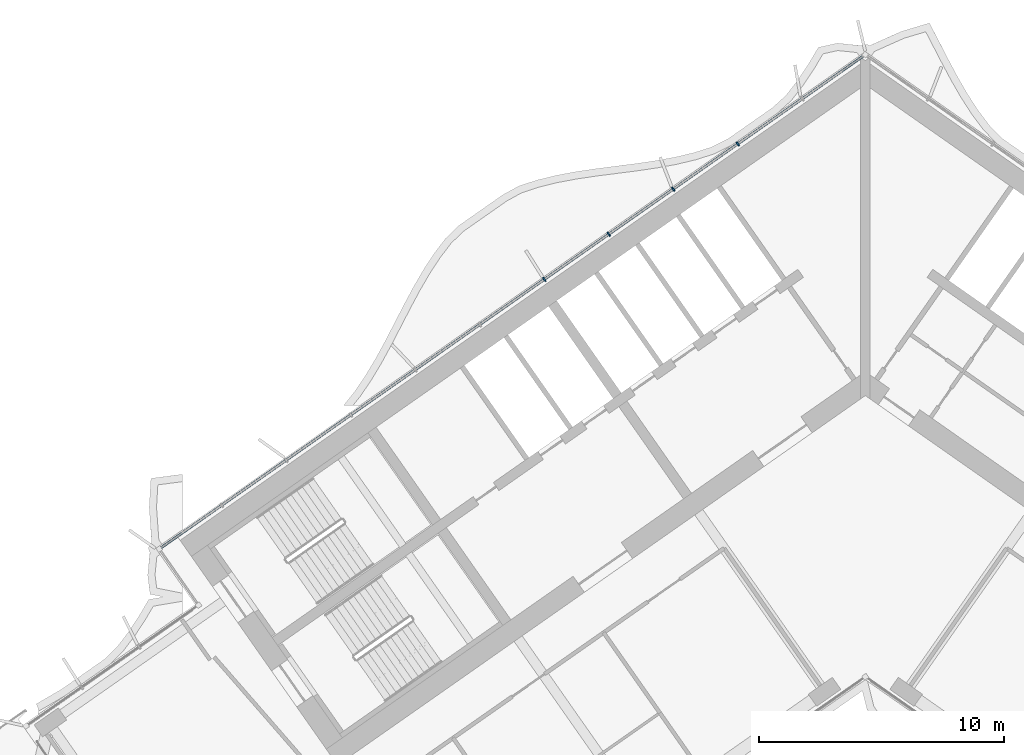
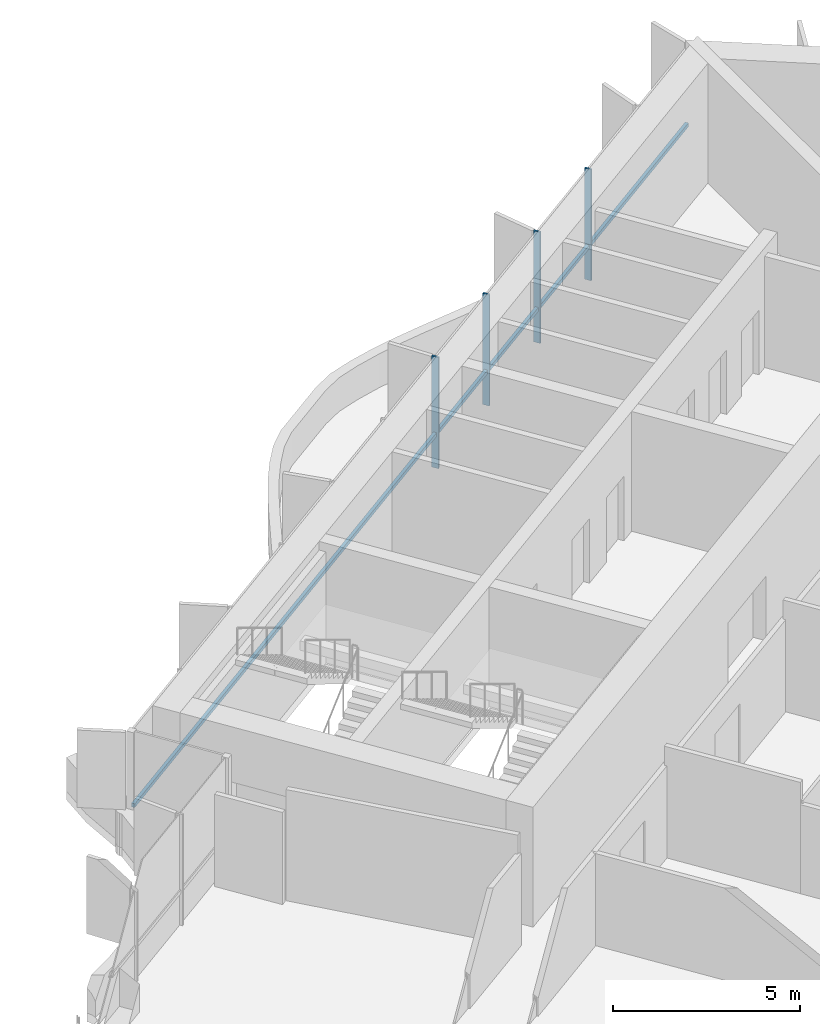
# One storey, part 7 of 22: 5 members, 1 element without a shape of its own.
"""IFC4 building model written with IfcOpenShell, lengths in metres."""

from ifc_helpers import new_model, si_unit, direction, frame, origin, origin_2d, place, context, subcontext, project, spatial, rectangle, extrude, material, material_profile, profile_set, type_object, element, aggregate, save


model = new_model("IFC4")

# Units and contexts
model_context = context("Model", 3, precision=1e-05, world=origin(), true_north=direction((0.0, 1.0)))
body_context = subcontext(model_context, "Body", "Model", "MODEL_VIEW")
ifc_project = project(units=[si_unit("LENGTHUNIT", "METRE"), si_unit("AREAUNIT", "SQUARE_METRE"), si_unit("VOLUMEUNIT", "CUBIC_METRE"), si_unit("PLANEANGLEUNIT", "RADIAN"), si_unit("MASSUNIT", "GRAM", prefix="KILO")], contexts=[model_context])

# Site, building, storey
site_placement = place(None, origin())
site = spatial("IfcSite", under=ifc_project, at=site_placement, CompositionType="ELEMENT")
building_placement = place(site_placement, origin())
building = spatial("IfcBuilding", under=site, at=building_placement, Name="Tel Ilan Convention Tower", CompositionType="ELEMENT")
storey_placement = place(building_placement, frame((0.0, 0.0, 202.199951171875)))
storey = spatial("IfcBuildingStorey", under=building, at=storey_placement, Name="L47", CompositionType="ELEMENT", Elevation=202.199951171875)

# Curtain wall, members
ifc_material_1 = material(Name="Aluminium, bronze anodised", Category="aluminium")
curtain_wall_type = type_object("IfcCurtainWallType", Name="CW2 STICK CURTAIN WALL, SPANDREL PANELS", PredefinedType="NOTDEFINED", material=ifc_material_1)
curtain_wall_placement = place(storey_placement, origin())
curtain_wall = element("IfcCurtainWall", 1, at=curtain_wall_placement, inside=storey, type_object=curtain_wall_type, Name="Curtain wall CW2-37.01", PredefinedType="NOTDEFINED")
ifc_material_2 = material(Name="Aluminium, bronze anodised", Category="aluminium")
ifc_material_profile_1 = material_profile(ifc_material_2, rectangle(XDim=0.06005859375, YDim=0.199951171875, at=origin_2d()), Name="CW MULLION 60x200")
ifc_profile_set_1 = profile_set([ifc_material_profile_1], Name="Aluminium, bronze anodised")
member_type_1 = type_object("IfcMemberType", Name="CW MULLION 60x200", PredefinedType="MULLION", material=ifc_profile_set_1)
member_1_placement = place(storey_placement, frame((-5.207763671875, 9.049560546875, 0.0), z_axis=(0.0, 0.0, 1.0), x_axis=(-0.819152044289, -0.573576436351, 0.0)))
member_1 = element("IfcMember", 2, at=member_1_placement, type_object=member_type_1, Name="Mullion", PredefinedType="MULLION", context=body_context, shape_type="SweptSolid", body=[
    extrude(rectangle(XDim=0.06005859375, YDim=0.199951171875, at=origin_2d()), origin(), (0.0, 0.0, 1.0), 3.6201171875),
])
member_2_placement = place(storey_placement, frame((-7.840576171875, 7.2060546875, 0.0), z_axis=(0.0, 0.0, 1.0), x_axis=(-0.819152044289, -0.573576436351, 0.0)))
member_2 = element("IfcMember", 3, at=member_2_placement, type_object=member_type_1, Name="Mullion", PredefinedType="MULLION", context=body_context, shape_type="SweptSolid", body=[
    extrude(rectangle(XDim=0.06005859375, YDim=0.199951171875, at=origin_2d()), origin(), (0.0, 0.0, 1.0), 3.6201171875),
])
member_3_placement = place(storey_placement, frame((-10.47314453125, 5.36279296875, 0.0), z_axis=(0.0, 0.0, 1.0), x_axis=(-0.819152044289, -0.573576436351, 0.0)))
member_3 = element("IfcMember", 4, at=member_3_placement, type_object=member_type_1, Name="Mullion", PredefinedType="MULLION", context=body_context, shape_type="SweptSolid", body=[
    extrude(rectangle(XDim=0.06005859375, YDim=0.199951171875, at=origin_2d()), origin(), (0.0, 0.0, 1.0), 3.6201171875),
])
member_4_placement = place(storey_placement, frame((-13.105712890625, 3.519287109375, 0.0), z_axis=(0.0, 0.0, 1.0), x_axis=(-0.819152044289, -0.573576436351, 0.0)))
member_4 = element("IfcMember", 5, at=member_4_placement, type_object=member_type_1, Name="Mullion", PredefinedType="MULLION", context=body_context, shape_type="SweptSolid", body=[
    extrude(rectangle(XDim=0.06005859375, YDim=0.199951171875, at=origin_2d()), origin(), (0.0, 0.0, 1.0), 3.6201171875),
])
ifc_material_3 = material(Name="Aluminium, bronze anodised", Category="aluminium")
ifc_material_profile_2 = material_profile(ifc_material_3, rectangle(XDim=0.10009765625, YDim=0.1201171875, at=origin_2d()), Name="CW TRANSOM 100x120")
ifc_profile_set_2 = profile_set([ifc_material_profile_2], Name="Aluminium, bronze anodised")
member_type_2 = type_object("IfcMemberType", Name="CW TRANSOM 100x120", PredefinedType="USERDEFINED", material=ifc_profile_set_2)
member_5_placement = place(storey_placement, frame((-0.1064453125, 12.62158203125, 1.10009765625), z_axis=(-0.819150201937, -0.573579067494, 0.0), x_axis=(0.573579067494, -0.819150201937, 0.0)))
member_5 = element("IfcMember", 6, at=member_5_placement, type_object=member_type_2, Name="Transom", ObjectType="TRANSOM", PredefinedType="USERDEFINED", context=body_context, shape_type="SweptSolid", body=[
    extrude(rectangle(XDim=0.10009765625, YDim=0.1201171875, at=origin_2d()), origin(), (0.0, 0.0, 1.0), 34.9521484375),
])
aggregate(curtain_wall, [member_1, member_2, member_3, member_4, member_5])

save(model, "model.ifc")
